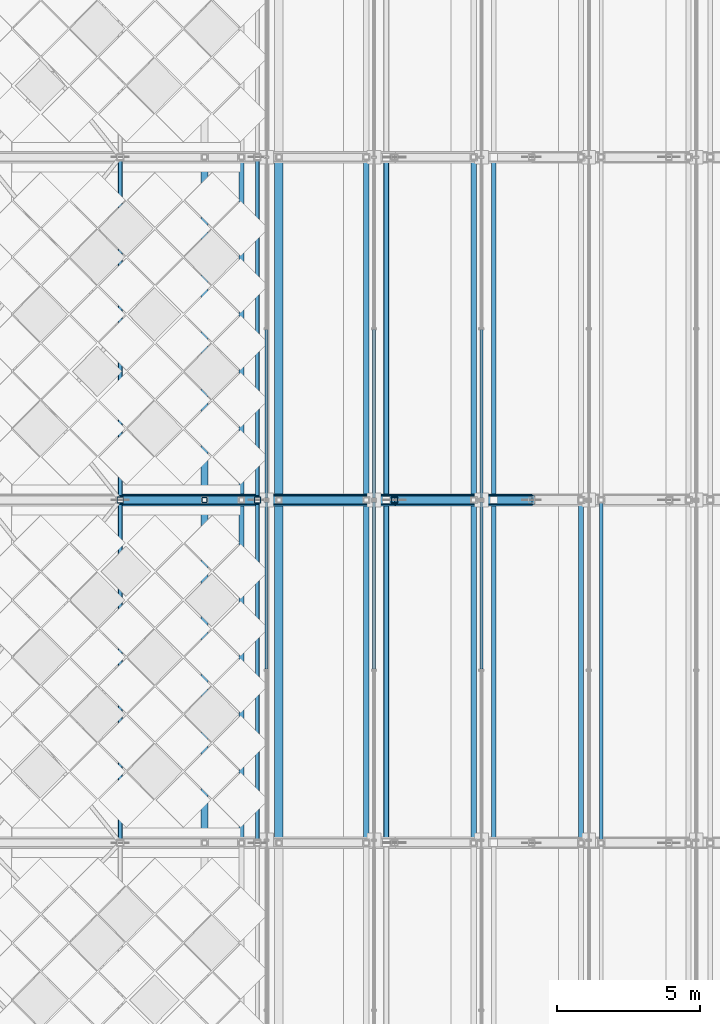
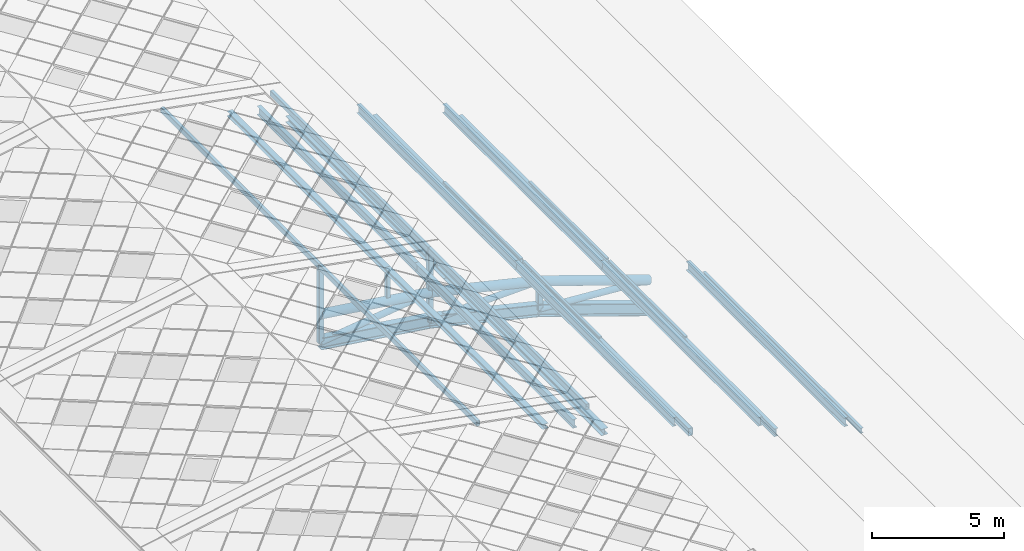
# One storey, part 18 of 117: 45 members, 6 elements without a shape of their own.
"""IFC4 building model written with IfcOpenShell, lengths in metres."""

import ifcopenshell
import ifcopenshell.guid

model = None  # the IFC model being written
_history = None  # IfcOwnerHistory: only IFC2X3 demands one
_inside = {}  # id of a spatial element -> (the spatial element, [elements in it])
_under = {}  # id of a project, library or spatial element -> (it, [spatial elements below it])
_declared = {}  # id of a project -> (the project, [libraries it declares])
_typed = {}  # id of a type object -> (the type object, [elements of that type])
_made_of = {}  # id of a material, layer set ... -> (it, [elements and type objects made of it])


def new_model(schema):
    """Start an empty IFC model of exactly this schema.

    Asked for "IFC4X3", IfcOpenShell would pick the latest addendum, in which some entities
    have other attributes; the version numbers below select the first issue.
    IFC2X3 requires an IfcOwnerHistory on every rooted entity: one is made here for all.
    """
    global model, _history
    if schema == "IFC4X3":
        model = ifcopenshell.file(schema_version=(4, 3, 0, 0))
    else:
        model = ifcopenshell.file(schema=schema)
    _inside.clear()
    _under.clear()
    _declared.clear()
    _typed.clear()
    _made_of.clear()
    _history = None
    if model.schema == "IFC2X3":
        org = make("IfcOrganization", Name="unknown")
        user = make(
            "IfcPersonAndOrganization",
            ThePerson=make("IfcPerson", FamilyName="unknown"),
            TheOrganization=org,
        )
        app = make(
            "IfcApplication",
            ApplicationDeveloper=org,
            Version="unknown",
            ApplicationFullName="unknown",
            ApplicationIdentifier="unknown",
        )
        _history = make(
            "IfcOwnerHistory",
            OwningUser=user,
            OwningApplication=app,
            ChangeAction="ADDED",
            CreationDate=0,
        )
    return model


def make(cls, **values):
    """One entity of the class cls with the attributes given. An attribute that is None is left unset."""
    return model.create_entity(
        cls, **{name: value for name, value in values.items() if value is not None}
    )


def rooted(cls, **values):
    """An entity with a GlobalId (a new one), such as an element, a storey or a relation."""
    return make(cls, GlobalId=ifcopenshell.guid.new(), OwnerHistory=_history, **values)


def si_unit(unit_type, name, prefix=None):
    """IfcSIUnit, for example si_unit("LENGTHUNIT", "METRE", prefix="MILLI")."""
    return make("IfcSIUnit", UnitType=unit_type, Prefix=prefix, Name=name)


def assignment(units):
    """IfcUnitAssignment: the units of a project."""
    return None if units is None else make("IfcUnitAssignment", Units=units)


def point(xyz):
    """IfcCartesianPoint."""
    return None if xyz is None else make("IfcCartesianPoint", Coordinates=xyz)


def direction(xyz):
    """IfcDirection."""
    return None if xyz is None else make("IfcDirection", DirectionRatios=xyz)


def frame(location, z_axis=None, x_axis=None):
    """IfcAxis2Placement3D, a coordinate frame: its origin and axes. An axis left out is left unset."""
    return make(
        "IfcAxis2Placement3D",
        Location=point(location),
        Axis=direction(z_axis),
        RefDirection=direction(x_axis),
    )


def frame_2d(location, x_axis=None):
    """IfcAxis2Placement2D, a coordinate frame in the plane: its origin and x axis."""
    return make(
        "IfcAxis2Placement2D", Location=point(location), RefDirection=direction(x_axis)
    )


def origin():
    """The frame at (0, 0, 0) with its axes left unset."""
    return frame((0.0, 0.0, 0.0))


def origin_2d():
    """The frame at (0, 0) in the plane with its x axis left unset."""
    return frame_2d((0.0, 0.0))


def place(relative_to, where):
    """IfcLocalPlacement: puts the frame where relative to a parent placement (None: the world)."""
    return make(
        "IfcLocalPlacement", PlacementRelTo=relative_to, RelativePlacement=where
    )


def context(
    kind, dimensions, precision=None, world=None, true_north=None, identifier=None
):
    """IfcGeometricRepresentationContext, for example the 3D "Model" context."""
    return make(
        "IfcGeometricRepresentationContext",
        ContextIdentifier=identifier,
        ContextType=kind,
        CoordinateSpaceDimension=dimensions,
        Precision=precision,
        WorldCoordinateSystem=world,
        TrueNorth=true_north,
    )


def subcontext(parent, identifier, kind, view, scale=None):
    """IfcGeometricRepresentationSubContext, for example "Body" below "Model"."""
    return make(
        "IfcGeometricRepresentationSubContext",
        ContextIdentifier=identifier,
        ContextType=kind,
        ParentContext=parent,
        TargetScale=scale,
        TargetView=view,
    )


def project(units=None, contexts=None):
    """IfcProject with its units and contexts."""
    return rooted(
        "IfcProject",
        Name="project",
        RepresentationContexts=contexts,
        UnitsInContext=assignment(units),
    )


def spatial(cls, under=None, at=None, **own):
    """A site, building, storey or space (cls), placed at a placement, below another one or the project."""
    s = rooted(cls, ObjectPlacement=at, **own)
    if under is not None:
        _under.setdefault(under.id(), (under, []))[1].append(s)
    return s


def profile(cls, at=None, kind="AREA", **sizes):
    """A parametric profile (cls). Its sizes go by their IFC names, for example OverallWidth=200.0."""
    return make(cls, ProfileType=kind, Position=at, **sizes)


def hollow_rectangle(**sizes):
    """IfcRectangleHollowProfileDef."""
    return profile("IfcRectangleHollowProfileDef", **sizes)


def hollow_circle(**sizes):
    """IfcCircleHollowProfileDef."""
    return profile("IfcCircleHollowProfileDef", **sizes)


def i_section(**sizes):
    """IfcIShapeProfileDef."""
    return profile("IfcIShapeProfileDef", **sizes)


def extrude(swept, where, along, depth):
    """IfcExtrudedAreaSolid: the profile swept, set in the frame where, extruded along a direction by depth."""
    return make(
        "IfcExtrudedAreaSolid",
        SweptArea=swept,
        Position=where,
        ExtrudedDirection=direction(along),
        Depth=depth,
    )


def shape(context_of_items, identifier, shape_type, items):
    """IfcShapeRepresentation: the items that make up one representation, for example the "Body"."""
    return make(
        "IfcShapeRepresentation",
        ContextOfItems=context_of_items,
        RepresentationIdentifier=identifier,
        RepresentationType=shape_type,
        Items=items,
    )


def material(Name=None, Category=None):
    """IfcMaterial."""
    return make("IfcMaterial", Name=Name, Category=Category)


def material_profile(
    of_material, cross_section, Name=None, Category=None, Priority=None
):
    """IfcMaterialProfile: a cross section and its material."""
    return make(
        "IfcMaterialProfile",
        Name=Name,
        Material=of_material,
        Profile=cross_section,
        Priority=Priority,
        Category=Category,
    )


def profile_set(profiles, Name=None, composite=None):
    """IfcMaterialProfileSet."""
    return make(
        "IfcMaterialProfileSet",
        Name=Name,
        MaterialProfiles=profiles,
        CompositeProfile=composite,
    )


def made_of(thing, what):
    """Note that an element or type object is made of a material, layer set ...; save() writes the relation."""
    if what is not None:
        _made_of.setdefault(what.id(), (what, []))[1].append(thing)
    return thing


def type_object(cls, material=None, **own):
    """A type object (cls), such as IfcWallType, which elements share."""
    return made_of(rooted(cls, **own), material)


def element(
    cls,
    number,
    at=None,
    inside=None,
    cuts=None,
    type_object=None,
    material=None,
    context=None,
    identifier="Body",
    shape_type=None,
    held_by="IfcProductDefinitionShape",
    body=None,
    shapes=None,
    **own,
):
    """One element of the class cls, such as IfcWall. Its Tag is "e" and its number.

    at: its placement. inside: the storey or other place that contains it. cuts: it is an
    opening in that element (IfcRelVoidsElement). A single representation is given by context,
    identifier, shape_type and body (its items); several are given by shapes. held_by: the class
    of the entity that holds the representations. save() writes the other relations.
    """
    e = rooted(cls, Tag="e%d" % number, ObjectPlacement=at, **own)
    if body is not None:
        shapes = [shape(context, identifier, shape_type, body)]
    if shapes is not None:
        e.Representation = make(held_by, Representations=shapes)
    if inside is not None:
        _inside.setdefault(inside.id(), (inside, []))[1].append(e)
    if cuts is not None:
        rooted(
            "IfcRelVoidsElement", RelatingBuildingElement=cuts, RelatedOpeningElement=e
        )
    if type_object is not None:
        _typed.setdefault(type_object.id(), (type_object, []))[1].append(e)
    return made_of(e, material)


def aggregate(whole, parts):
    """IfcRelAggregates: a whole, such as a stair, and the parts it consists of."""
    return rooted("IfcRelAggregates", RelatingObject=whole, RelatedObjects=parts)


def save(model, path):
    """Write the relations noted so far, then the file.

    IfcRelAggregates (storeys below a building ...), IfcRelContainedInSpatialStructure (elements
    in a storey), IfcRelDefinesByType, IfcRelAssociatesMaterial and IfcRelDeclares: one each for
    every whole, place, type object, material and project.
    """
    for whole, parts in _under.values():
        aggregate(whole, parts)
    for where, things in _inside.values():
        rooted(
            "IfcRelContainedInSpatialStructure",
            RelatedElements=things,
            RelatingStructure=where,
        )
    for kind, things in _typed.values():
        rooted("IfcRelDefinesByType", RelatedObjects=things, RelatingType=kind)
    for what, things in _made_of.values():
        rooted("IfcRelAssociatesMaterial", RelatedObjects=things, RelatingMaterial=what)
    for by, libraries in _declared.values():
        rooted("IfcRelDeclares", RelatingContext=by, RelatedDefinitions=libraries)
    model.write(path)


model = new_model("IFC4")

# Units and contexts
model_context = context("Model", 3, precision=1e-05, world=origin(), true_north=direction((0.0, 1.0)))
body_context = subcontext(model_context, "Body", "Model", "MODEL_VIEW")
ifc_project = project(units=[si_unit("LENGTHUNIT", "METRE"), si_unit("AREAUNIT", "SQUARE_METRE"), si_unit("VOLUMEUNIT", "CUBIC_METRE"), si_unit("PLANEANGLEUNIT", "RADIAN"), si_unit("MASSUNIT", "GRAM", prefix="KILO")], contexts=[model_context])

# Site, building, storey
site_placement = place(None, origin())
site = spatial("IfcSite", under=ifc_project, at=site_placement, CompositionType="ELEMENT")
building_placement = place(site_placement, origin())
building = spatial("IfcBuilding", under=site, at=building_placement, Name="Merenkruunu Market Hall", CompositionType="ELEMENT")
storey_placement = place(building_placement, frame((0.0, 0.0, 22.800048828125)))
storey = spatial("IfcBuildingStorey", under=building, at=storey_placement, Name="RF", CompositionType="ELEMENT", Elevation=22.800048828125)

# Members
ifc_material_1 = material(Name="Steel S355ML", Category="steel")
ifc_material_profile_1 = material_profile(ifc_material_1, hollow_circle(Radius=0.203125, WallThickness=0.01611328125, at=origin_2d()), Name="CHS 406.4x16")
ifc_profile_set_1 = profile_set([ifc_material_profile_1], Name="Steel S355ML")
member_type_1 = type_object("IfcMemberType", Name="Arch Truss Chord TC02", PredefinedType="CHORD", material=ifc_profile_set_1)
member_1_placement = place(storey_placement, frame((33.60009765625, 39.60009765625, -1.66796875), z_axis=(0.99033759622, 0.0, -0.138677487406), x_axis=(0.0, 1.0, 0.0)))
element("IfcMember", 1, at=member_1_placement, inside=storey, type_object=member_type_1, Name="TRUSS-AT-3-TOP-08", PredefinedType="CHORD", context=body_context, shape_type="SweptSolid", body=[
    extrude(hollow_circle(Radius=0.203125, WallThickness=0.01611328125, at=origin_2d()), origin(), (0.0, 0.0, 1.0), 4.8466796875),
])
member_2_placement = place(storey_placement, frame((38.39990234375, 39.60009765625, -2.340087890625), z_axis=(0.972941974064, 0.0, -0.231049594471), x_axis=(0.0, 1.0, 0.0)))
element("IfcMember", 2, at=member_2_placement, inside=storey, type_object=member_type_1, Name="TRUSS-AT-3-TOP-09", PredefinedType="CHORD", context=body_context, shape_type="SweptSolid", body=[
    extrude(hollow_circle(Radius=0.203125, WallThickness=0.01611328125, at=origin_2d()), origin(), (0.0, 0.0, 1.0), 4.93359375),
])
member_3_placement = place(storey_placement, frame((43.199951171875, 39.60009765625, -3.47998046875), z_axis=(0.946224865418, 0.0, -0.323509666107), x_axis=(0.0, 1.0, 0.0)))
element("IfcMember", 3, at=member_3_placement, inside=storey, type_object=member_type_1, Name="TRUSS-AT-3-TOP-10", PredefinedType="CHORD", context=body_context, shape_type="SweptSolid", body=[
    extrude(hollow_circle(Radius=0.203125, WallThickness=0.01611328125, at=origin_2d()), origin(), (0.0, 0.0, 1.0), 5.07275390625),
])
ifc_material_profile_2 = material_profile(ifc_material_1, i_section(OverallWidth=0.300048828125, OverallDepth=0.550048828125, WebThickness=0.014892578125, FlangeThickness=0.029052734375, FilletRadius=0.027099609375, at=origin_2d()), Name="HEB 550")
ifc_profile_set_2 = profile_set([ifc_material_profile_2], Name="Steel S355ML")
member_type_2 = type_object("IfcMemberType", Name="Arch Truss Chord TC03", PredefinedType="CHORD", material=ifc_profile_set_2)
member_4_placement = place(storey_placement, frame((33.60009765625, 39.60009765625, -2.968017578125), z_axis=(0.99033759622, 0.0, -0.138677487406), x_axis=(0.0, 1.0, 0.0)))
element("IfcMember", 4, at=member_4_placement, inside=storey, type_object=member_type_2, Name="TRUSS-AT-3-BOT-08", PredefinedType="CHORD", context=body_context, shape_type="SweptSolid", body=[
    extrude(i_section(OverallWidth=0.300048828125, OverallDepth=0.550048828125, WebThickness=0.014892578125, FlangeThickness=0.029052734375, FilletRadius=0.027099609375, at=origin_2d()), origin(), (0.0, 0.0, 1.0), 4.8466796875),
])
member_5_placement = place(storey_placement, frame((38.39990234375, 39.60009765625, -3.64013671875), z_axis=(0.972941974064, 0.0, -0.231049594471), x_axis=(0.0, 1.0, 0.0)))
element("IfcMember", 5, at=member_5_placement, inside=storey, type_object=member_type_2, Name="TRUSS-AT-3-BOT-09", PredefinedType="CHORD", context=body_context, shape_type="SweptSolid", body=[
    extrude(i_section(OverallWidth=0.300048828125, OverallDepth=0.550048828125, WebThickness=0.014892578125, FlangeThickness=0.029052734375, FilletRadius=0.027099609375, at=origin_2d()), origin(), (0.0, 0.0, 1.0), 4.93359375),
])
member_6_placement = place(storey_placement, frame((43.199951171875, 39.60009765625, -4.780029296875), z_axis=(0.946224865418, 0.0, -0.323509666107), x_axis=(0.0, 1.0, 0.0)))
element("IfcMember", 6, at=member_6_placement, inside=storey, type_object=member_type_2, Name="TRUSS-AT-3-BOT-10", PredefinedType="CHORD", context=body_context, shape_type="SweptSolid", body=[
    extrude(i_section(OverallWidth=0.300048828125, OverallDepth=0.550048828125, WebThickness=0.014892578125, FlangeThickness=0.029052734375, FilletRadius=0.027099609375, at=origin_2d()), origin(), (0.0, 0.0, 1.0), 5.07275390625),
])

# Curtain wall, members
ifc_material_2 = material(Name="Powder-coated aluminium", Category="aluminium")
curtain_wall_type = type_object("IfcCurtainWallType", Name="Clerestory Curtain Band CL05", PredefinedType="USERDEFINED", material=ifc_material_2)
curtain_wall_1_placement = place(storey_placement, origin())
curtain_wall_1 = element("IfcCurtainWall", 7, at=curtain_wall_1_placement, inside=storey, type_object=curtain_wall_type, Name="CW-RF-CWM04-098", ObjectType="CLERESTORY_BAND", PredefinedType="USERDEFINED")
ifc_material_profile_3 = material_profile(ifc_material_2, hollow_rectangle(XDim=0.06005859375, YDim=0.110107421875, WallThickness=0.00390625, at=origin_2d()), Name="ALU 60x110x4")
ifc_profile_set_3 = profile_set([ifc_material_profile_3], Name="Powder-coated aluminium")
member_type_3 = type_object("IfcMemberType", Name="Curtain Wall Transom CWT03", PredefinedType="USERDEFINED", material=ifc_profile_set_3)
member_7_placement = place(storey_placement, frame((46.239990234375, 39.530029296875, -3.85205078125), z_axis=(0.0, -1.0, 0.0), x_axis=(0.0, 0.0, 1.0)))
member_7 = element("IfcMember", 8, at=member_7_placement, type_object=member_type_3, Name="CL05 transom 1.1", ObjectType="TRANSOM", PredefinedType="USERDEFINED", context=body_context, shape_type="SweptSolid", body=[
    extrude(hollow_rectangle(XDim=0.06005859375, YDim=0.110107421875, WallThickness=0.00390625, at=origin_2d()), origin(), (0.0, 0.0, 1.0), 5.844970703125),
])
member_8_placement = place(storey_placement, frame((46.239990234375, 39.530029296875, -3.56396484375), z_axis=(0.0, -1.0, 0.0), x_axis=(0.0, 0.0, 1.0)))
member_8 = element("IfcMember", 9, at=member_8_placement, type_object=member_type_3, Name="CL05 transom 1.2", ObjectType="TRANSOM", PredefinedType="USERDEFINED", context=body_context, shape_type="SweptSolid", body=[
    extrude(hollow_rectangle(XDim=0.06005859375, YDim=0.110107421875, WallThickness=0.00390625, at=origin_2d()), origin(), (0.0, 0.0, 1.0), 5.844970703125),
])
aggregate(curtain_wall_1, [member_7, member_8])

curtain_wall_2_placement = place(storey_placement, origin())
curtain_wall_2 = element("IfcCurtainWall", 10, at=curtain_wall_2_placement, inside=storey, type_object=curtain_wall_type, Name="CW-RF-CWM04-100", ObjectType="CLERESTORY_BAND", PredefinedType="USERDEFINED")
member_9_placement = place(storey_placement, frame((46.239990234375, 45.56494140625, -3.85205078125), z_axis=(0.0, -1.0, 0.0), x_axis=(0.0, 0.0, 1.0)))
member_9 = element("IfcMember", 11, at=member_9_placement, type_object=member_type_3, Name="CL05 transom 4.1", ObjectType="TRANSOM", PredefinedType="USERDEFINED", context=body_context, shape_type="SweptSolid", body=[
    extrude(hollow_rectangle(XDim=0.06005859375, YDim=0.110107421875, WallThickness=0.00390625, at=origin_2d()), origin(), (0.0, 0.0, 1.0), 5.89501953125),
])
member_10_placement = place(storey_placement, frame((46.239990234375, 45.56494140625, -3.56396484375), z_axis=(0.0, -1.0, 0.0), x_axis=(0.0, 0.0, 1.0)))
member_10 = element("IfcMember", 12, at=member_10_placement, type_object=member_type_3, Name="CL05 transom 4.2", ObjectType="TRANSOM", PredefinedType="USERDEFINED", context=body_context, shape_type="SweptSolid", body=[
    extrude(hollow_rectangle(XDim=0.06005859375, YDim=0.110107421875, WallThickness=0.00390625, at=origin_2d()), origin(), (0.0, 0.0, 1.0), 5.89501953125),
])
aggregate(curtain_wall_2, [member_9, member_10])

curtain_wall_3_placement = place(storey_placement, origin())
curtain_wall_3 = element("IfcCurtainWall", 13, at=curtain_wall_3_placement, inside=storey, type_object=curtain_wall_type, Name="CW-RF-CWM04-106", ObjectType="CLERESTORY_BAND", PredefinedType="USERDEFINED")
member_11_placement = place(storey_placement, frame((42.47998046875, 39.530029296875, -2.531982421875), z_axis=(0.0, -1.0, 0.0), x_axis=(0.0, 0.0, 1.0)))
member_11 = element("IfcMember", 14, at=member_11_placement, type_object=member_type_3, Name="CL05 transom 1.1", ObjectType="TRANSOM", PredefinedType="USERDEFINED", context=body_context, shape_type="SweptSolid", body=[
    extrude(hollow_rectangle(XDim=0.06005859375, YDim=0.110107421875, WallThickness=0.00390625, at=origin_2d()), origin(), (0.0, 0.0, 1.0), 5.844970703125),
])
member_12_placement = place(storey_placement, frame((42.47998046875, 39.530029296875, -2.26513671875), z_axis=(0.0, -1.0, 0.0), x_axis=(0.0, 0.0, 1.0)))
member_12 = element("IfcMember", 15, at=member_12_placement, type_object=member_type_3, Name="CL05 transom 1.2", ObjectType="TRANSOM", PredefinedType="USERDEFINED", context=body_context, shape_type="SweptSolid", body=[
    extrude(hollow_rectangle(XDim=0.06005859375, YDim=0.110107421875, WallThickness=0.00390625, at=origin_2d()), origin(), (0.0, 0.0, 1.0), 5.844970703125),
])
aggregate(curtain_wall_3, [member_11, member_12])

curtain_wall_4_placement = place(storey_placement, origin())
curtain_wall_4 = element("IfcCurtainWall", 16, at=curtain_wall_4_placement, inside=storey, type_object=curtain_wall_type, Name="CW-RF-CWM04-108", ObjectType="CLERESTORY_BAND", PredefinedType="USERDEFINED")
member_13_placement = place(storey_placement, frame((42.47998046875, 45.56494140625, -2.531982421875), z_axis=(0.0, -1.0, 0.0), x_axis=(0.0, 0.0, 1.0)))
member_13 = element("IfcMember", 17, at=member_13_placement, type_object=member_type_3, Name="CL05 transom 4.1", ObjectType="TRANSOM", PredefinedType="USERDEFINED", context=body_context, shape_type="SweptSolid", body=[
    extrude(hollow_rectangle(XDim=0.06005859375, YDim=0.110107421875, WallThickness=0.00390625, at=origin_2d()), origin(), (0.0, 0.0, 1.0), 5.89501953125),
])
member_14_placement = place(storey_placement, frame((42.47998046875, 45.56494140625, -2.26513671875), z_axis=(0.0, -1.0, 0.0), x_axis=(0.0, 0.0, 1.0)))
member_14 = element("IfcMember", 18, at=member_14_placement, type_object=member_type_3, Name="CL05 transom 4.2", ObjectType="TRANSOM", PredefinedType="USERDEFINED", context=body_context, shape_type="SweptSolid", body=[
    extrude(hollow_rectangle(XDim=0.06005859375, YDim=0.110107421875, WallThickness=0.00390625, at=origin_2d()), origin(), (0.0, 0.0, 1.0), 5.89501953125),
])
aggregate(curtain_wall_4, [member_13, member_14])

curtain_wall_5_placement = place(storey_placement, origin())
curtain_wall_5 = element("IfcCurtainWall", 19, at=curtain_wall_5_placement, inside=storey, type_object=curtain_wall_type, Name="CW-RF-CWM04-114", ObjectType="CLERESTORY_BAND", PredefinedType="USERDEFINED")
member_15_placement = place(storey_placement, frame((38.719970703125, 39.530029296875, -1.212158203125), z_axis=(0.0, -1.0, 0.0), x_axis=(0.0, 0.0, 1.0)))
member_15 = element("IfcMember", 20, at=member_15_placement, type_object=member_type_3, Name="CL05 transom 1.1", ObjectType="TRANSOM", PredefinedType="USERDEFINED", context=body_context, shape_type="SweptSolid", body=[
    extrude(hollow_rectangle(XDim=0.06005859375, YDim=0.110107421875, WallThickness=0.00390625, at=origin_2d()), origin(), (0.0, 0.0, 1.0), 5.844970703125),
])
member_16_placement = place(storey_placement, frame((38.719970703125, 39.530029296875, -0.924072265625), z_axis=(0.0, -1.0, 0.0), x_axis=(0.0, 0.0, 1.0)))
member_16 = element("IfcMember", 21, at=member_16_placement, type_object=member_type_3, Name="CL05 transom 1.2", ObjectType="TRANSOM", PredefinedType="USERDEFINED", context=body_context, shape_type="SweptSolid", body=[
    extrude(hollow_rectangle(XDim=0.06005859375, YDim=0.110107421875, WallThickness=0.00390625, at=origin_2d()), origin(), (0.0, 0.0, 1.0), 5.844970703125),
])
aggregate(curtain_wall_5, [member_15, member_16])

curtain_wall_6_placement = place(storey_placement, origin())
curtain_wall_6 = element("IfcCurtainWall", 22, at=curtain_wall_6_placement, inside=storey, type_object=curtain_wall_type, Name="CW-RF-CWM04-116", ObjectType="CLERESTORY_BAND", PredefinedType="USERDEFINED")
member_17_placement = place(storey_placement, frame((38.719970703125, 45.56494140625, -1.212158203125), z_axis=(0.0, -1.0, 0.0), x_axis=(0.0, 0.0, 1.0)))
member_17 = element("IfcMember", 23, at=member_17_placement, type_object=member_type_3, Name="CL05 transom 4.1", ObjectType="TRANSOM", PredefinedType="USERDEFINED", context=body_context, shape_type="SweptSolid", body=[
    extrude(hollow_rectangle(XDim=0.06005859375, YDim=0.110107421875, WallThickness=0.00390625, at=origin_2d()), origin(), (0.0, 0.0, 1.0), 5.89501953125),
])
member_18_placement = place(storey_placement, frame((38.719970703125, 45.56494140625, -0.924072265625), z_axis=(0.0, -1.0, 0.0), x_axis=(0.0, 0.0, 1.0)))
member_18 = element("IfcMember", 24, at=member_18_placement, type_object=member_type_3, Name="CL05 transom 4.2", ObjectType="TRANSOM", PredefinedType="USERDEFINED", context=body_context, shape_type="SweptSolid", body=[
    extrude(hollow_rectangle(XDim=0.06005859375, YDim=0.110107421875, WallThickness=0.00390625, at=origin_2d()), origin(), (0.0, 0.0, 1.0), 5.89501953125),
])
aggregate(curtain_wall_6, [member_17, member_18])

# Members
ifc_material_profile_4 = material_profile(ifc_material_1, hollow_circle(Radius=0.136474609375, WallThickness=0.012451171875, at=origin_2d()), Name="CHS 273x12.5")
ifc_profile_set_4 = profile_set([ifc_material_profile_4], Name="Steel S355ML")
member_type_4 = type_object("IfcMemberType", Name="Diagonal Sway Brace BR02", PredefinedType="BRACE", material=ifc_profile_set_4)
member_19_placement = place(storey_placement, frame((33.60009765625, 39.60009765625, -2.968017578125), z_axis=(0.99155084109, 0.0, 0.129718655304), x_axis=(0.0, 1.0, 0.0)))
element("IfcMember", 25, at=member_19_placement, inside=storey, type_object=member_type_4, Name="TRUSS-AT-3-DIAG-08", PredefinedType="BRACE", context=body_context, shape_type="SweptSolid", body=[
    extrude(hollow_circle(Radius=0.136474609375, WallThickness=0.012451171875, at=origin_2d()), origin(), (0.0, 0.0, 1.0), 4.8408203125),
])
member_20_placement = place(storey_placement, frame((38.39990234375, 39.60009765625, -3.64013671875), z_axis=(0.999443834494, 0.0, 0.033346989239), x_axis=(0.0, 1.0, 0.0)))
element("IfcMember", 26, at=member_20_placement, inside=storey, type_object=member_type_4, Name="TRUSS-AT-3-DIAG-09", PredefinedType="BRACE", context=body_context, shape_type="SweptSolid", body=[
    extrude(hollow_circle(Radius=0.136474609375, WallThickness=0.012451171875, at=origin_2d()), origin(), (0.0, 0.0, 1.0), 4.802734375),
])
member_21_placement = place(storey_placement, frame((43.199951171875, 39.60009765625, -4.780029296875), z_axis=(0.997485156704, 0.0, -0.070875680989), x_axis=(0.0, 1.0, 0.0)))
element("IfcMember", 27, at=member_21_placement, inside=storey, type_object=member_type_4, Name="TRUSS-AT-3-DIAG-10", PredefinedType="BRACE", context=body_context, shape_type="SweptSolid", body=[
    extrude(hollow_circle(Radius=0.136474609375, WallThickness=0.012451171875, at=origin_2d()), origin(), (0.0, 0.0, 1.0), 4.812255859375),
])
ifc_material_3 = material(Name="Steel S355J2", Category="steel")
ifc_material_profile_5 = material_profile(ifc_material_3, hollow_rectangle(XDim=0.219970703125, YDim=0.219970703125, WallThickness=0.012451171875, InnerFilletRadius=0.012451171875, OuterFilletRadius=0.02490234375, at=origin_2d()), Name="SHS 220x220x12.5")
ifc_profile_set_5 = profile_set([ifc_material_profile_5], Name="Steel S355J2")
member_type_5 = type_object("IfcMemberType", Name="Diagonal Sway Brace BR04", PredefinedType="BRACE", material=ifc_profile_set_5)
member_22_placement = place(storey_placement, frame((33.60009765625, 39.60009765625, -2.968017578125), z_axis=(0.0, 0.0, 1.0), x_axis=(1.0, 0.0, 0.0)))
element("IfcMember", 28, at=member_22_placement, inside=storey, type_object=member_type_5, Name="TRUSS-AT-3-POST-07", PredefinedType="BRACE", context=body_context, shape_type="SweptSolid", body=[
    extrude(hollow_rectangle(XDim=0.219970703125, YDim=0.219970703125, WallThickness=0.012451171875, InnerFilletRadius=0.012451171875, OuterFilletRadius=0.02490234375, at=origin_2d()), origin(), (0.0, 0.0, 1.0), 3.3720703125),
])
member_23_placement = place(storey_placement, frame((38.39990234375, 39.60009765625, -3.64013671875), z_axis=(0.0, 0.0, 1.0), x_axis=(1.0, 0.0, 0.0)))
element("IfcMember", 29, at=member_23_placement, inside=storey, type_object=member_type_5, Name="TRUSS-AT-3-POST-08", PredefinedType="BRACE", context=body_context, shape_type="SweptSolid", body=[
    extrude(hollow_rectangle(XDim=0.219970703125, YDim=0.219970703125, WallThickness=0.012451171875, InnerFilletRadius=0.012451171875, OuterFilletRadius=0.02490234375, at=origin_2d()), origin(), (0.0, 0.0, 1.0), 3.1416015625),
])
member_24_placement = place(storey_placement, frame((43.199951171875, 39.60009765625, -4.780029296875), z_axis=(0.0, 0.0, 1.0), x_axis=(1.0, 0.0, 0.0)))
element("IfcMember", 30, at=member_24_placement, inside=storey, type_object=member_type_5, Name="TRUSS-AT-3-POST-09", PredefinedType="BRACE", context=body_context, shape_type="SweptSolid", body=[
    extrude(hollow_rectangle(XDim=0.219970703125, YDim=0.219970703125, WallThickness=0.012451171875, InnerFilletRadius=0.012451171875, OuterFilletRadius=0.02490234375, at=origin_2d()), origin(), (0.0, 0.0, 1.0), 1.300048828125),
])
ifc_material_profile_6 = material_profile(ifc_material_3, hollow_rectangle(XDim=0.179931640625, YDim=0.179931640625, WallThickness=0.010009765625, InnerFilletRadius=0.010009765625, OuterFilletRadius=0.02001953125, at=origin_2d()), Name="SHS 180x180x10")
ifc_profile_set_6 = profile_set([ifc_material_profile_6], Name="Steel S355J2")
member_type_6 = type_object("IfcMemberType", Name="Diagonal Sway Brace BR05", PredefinedType="BRACE", material=ifc_profile_set_6)
member_25_placement = place(storey_placement, frame((36.550048828125, 39.60009765625, -1.889892578125), z_axis=(0.0, 0.0, 1.0), x_axis=(1.0, 0.0, 0.0)))
element("IfcMember", 31, at=member_25_placement, inside=storey, type_object=member_type_6, Name="TRUSS-AT-3-RISER-E6-2", PredefinedType="BRACE", context=body_context, shape_type="SweptSolid", body=[
    extrude(hollow_rectangle(XDim=0.179931640625, YDim=0.179931640625, WallThickness=0.010009765625, InnerFilletRadius=0.010009765625, OuterFilletRadius=0.02001953125, at=origin_2d()), origin(), (0.0, 0.0, 1.0), 1.12841796875),
])
ifc_material_profile_7 = material_profile(ifc_material_1, i_section(OverallWidth=0.1201171875, OverallDepth=0.239990234375, WebThickness=0.006103515625, FlangeThickness=0.009765625, FilletRadius=0.014892578125, at=origin_2d()), Name="IPE 240")
ifc_profile_set_7 = profile_set([ifc_material_profile_7], Name="Steel S355ML")
member_type_7 = type_object("IfcMemberType", Name="Roof Purlin Rafter PR02", PredefinedType="PURLIN", material=ifc_profile_set_7)
member_26_placement = place(storey_placement, frame((50.429931640625, 27.60009765625, -5.687255859375), z_axis=(0.0, 1.0, 0.0), x_axis=(-1.0, 0.0, 0.0)))
element("IfcMember", 32, at=member_26_placement, inside=storey, type_object=member_type_7, Name="MEM-RF-PURL-E-052", PredefinedType="PURLIN", context=body_context, shape_type="SweptSolid", body=[
    extrude(i_section(OverallWidth=0.1201171875, OverallDepth=0.239990234375, WebThickness=0.006103515625, FlangeThickness=0.009765625, FilletRadius=0.014892578125, at=origin_2d()), origin(), (0.0, 0.0, 1.0), 12.0),
])
ifc_material_profile_8 = material_profile(ifc_material_1, i_section(OverallWidth=0.169921875, OverallDepth=0.360107421875, WebThickness=0.008056640625, FlangeThickness=0.0126953125, FilletRadius=0.01806640625, at=origin_2d()), Name="IPE 360")
ifc_profile_set_8 = profile_set([ifc_material_profile_8], Name="Steel S355ML")
member_type_8 = type_object("IfcMemberType", Name="Roof Purlin Rafter PR03", PredefinedType="PURLIN", material=ifc_profile_set_8)
for number, where, z_axis, x_axis, name in (
    (33, (46.669921875, 27.60009765625, -4.452392578125), (0.0, 1.0, 0.0), (-1.0, 0.0, 0.0), "MEM-RF-PURL-E-084"),
    (34, (46.669921875, 39.60009765625, -4.452392578125), (0.0, 1.0, 0.0), (-1.0, 0.0, 0.0), "MEM-RF-PURL-E-086"),
):
    element("IfcMember", number, at=place(storey_placement, frame(where, z_axis=z_axis, x_axis=x_axis)), inside=storey, type_object=member_type_8, Name=name, PredefinedType="PURLIN", context=body_context, shape_type="SweptSolid", body=[
        extrude(i_section(OverallWidth=0.169921875, OverallDepth=0.360107421875, WebThickness=0.008056640625, FlangeThickness=0.0126953125, FilletRadius=0.01806640625, at=origin_2d()), origin(), (0.0, 0.0, 1.0), 12.0),
    ])
ifc_material_profile_9 = material_profile(ifc_material_1, hollow_rectangle(XDim=0.14990234375, YDim=0.25, WallThickness=0.010009765625, InnerFilletRadius=0.010009765625, OuterFilletRadius=0.02001953125, at=origin_2d()), Name="RHS 250x150x10")
ifc_profile_set_9 = profile_set([ifc_material_profile_9], Name="Steel S355ML")
member_type_9 = type_object("IfcMemberType", Name="Roof Purlin Rafter PR04", PredefinedType="PURLIN", material=ifc_profile_set_9)
for number, where, z_axis, x_axis, name in (
    (35, (38.39990234375, 27.60009765625, -0.35546875), (0.0, 1.0, 0.0), (-1.0, 0.0, 0.0), "MEM-CROWN-EAVE-021"),
    (36, (33.60009765625, 27.60009765625, 0.546875), (0.0, 1.0, 0.0), (-1.0, 0.0, 0.0), "MEM-CROWN-MID-022"),
    (37, (38.39990234375, 39.60009765625, -0.35546875), (0.0, 1.0, 0.0), (-1.0, 0.0, 0.0), "MEM-CROWN-EAVE-034"),
    (38, (33.60009765625, 39.60009765625, 0.546875), (0.0, 1.0, 0.0), (-1.0, 0.0, 0.0), "MEM-CROWN-MID-035"),
):
    element("IfcMember", number, at=place(storey_placement, frame(where, z_axis=z_axis, x_axis=x_axis)), inside=storey, type_object=member_type_9, Name=name, PredefinedType="PURLIN", context=body_context, shape_type="SweptSolid", body=[
        extrude(hollow_rectangle(XDim=0.14990234375, YDim=0.25, WallThickness=0.010009765625, InnerFilletRadius=0.010009765625, OuterFilletRadius=0.02001953125, at=origin_2d()), origin(), (0.0, 0.0, 1.0), 12.0),
    ])
ifc_material_profile_10 = material_profile(ifc_material_1, hollow_rectangle(XDim=0.199951171875, YDim=0.35009765625, WallThickness=0.012451171875, InnerFilletRadius=0.012451171875, OuterFilletRadius=0.02490234375, at=origin_2d()), Name="RHS 350x200x12.5")
ifc_profile_set_10 = profile_set([ifc_material_profile_10], Name="Steel S355ML")
member_type_10 = type_object("IfcMemberType", Name="Roof Purlin Rafter PR06", PredefinedType="PURLIN", material=ifc_profile_set_10)
for number, where, z_axis, x_axis, name in (
    (39, (42.909912109375, 27.60009765625, -3.10986328125), (0.0, 1.0, 0.0), (-1.0, 0.0, 0.0), "MEM-RF-PURL-E-116"),
    (40, (42.909912109375, 39.60009765625, -3.10986328125), (0.0, 1.0, 0.0), (-1.0, 0.0, 0.0), "MEM-RF-PURL-E-118"),
):
    element("IfcMember", number, at=place(storey_placement, frame(where, z_axis=z_axis, x_axis=x_axis)), inside=storey, type_object=member_type_10, Name=name, PredefinedType="PURLIN", context=body_context, shape_type="SweptSolid", body=[
        extrude(hollow_rectangle(XDim=0.199951171875, YDim=0.35009765625, WallThickness=0.012451171875, InnerFilletRadius=0.012451171875, OuterFilletRadius=0.02490234375, at=origin_2d()), origin(), (0.0, 0.0, 1.0), 12.0),
    ])
ifc_material_profile_11 = material_profile(ifc_material_1, i_section(OverallWidth=0.300048828125, OverallDepth=0.2900390625, WebThickness=0.008544921875, FlangeThickness=0.013916015625, FilletRadius=0.027099609375, at=origin_2d()), Name="HEA 300")
ifc_profile_set_11 = profile_set([ifc_material_profile_11], Name="Steel S355ML")
member_type_11 = type_object("IfcMemberType", Name="Roof Purlin Rafter PR07", PredefinedType="PURLIN", material=ifc_profile_set_11)
for number, where, z_axis, x_axis, name in (
    (41, (39.14990234375, 27.60009765625, -1.789306640625), (0.0, 1.0, 0.0), (-1.0, 0.0, 0.0), "MEM-RF-PURL-E-148"),
    (42, (39.14990234375, 39.60009765625, -1.789306640625), (0.0, 1.0, 0.0), (-1.0, 0.0, 0.0), "MEM-RF-PURL-E-150"),
):
    element("IfcMember", number, at=place(storey_placement, frame(where, z_axis=z_axis, x_axis=x_axis)), inside=storey, type_object=member_type_11, Name=name, PredefinedType="PURLIN", context=body_context, shape_type="SweptSolid", body=[
        extrude(i_section(OverallWidth=0.300048828125, OverallDepth=0.2900390625, WebThickness=0.008544921875, FlangeThickness=0.013916015625, FilletRadius=0.027099609375, at=origin_2d()), origin(), (0.0, 0.0, 1.0), 12.0),
    ])
ifc_material_profile_12 = material_profile(ifc_material_1, i_section(OverallWidth=0.239990234375, OverallDepth=0.22998046875, WebThickness=0.007568359375, FlangeThickness=0.011962890625, FilletRadius=0.02099609375, at=origin_2d()), Name="HEA 240")
ifc_profile_set_12 = profile_set([ifc_material_profile_12], Name="Steel S355ML")
member_type_12 = type_object("IfcMemberType", Name="Roof Purlin Rafter PR08", PredefinedType="PURLIN", material=ifc_profile_set_12)
for number, where, z_axis, x_axis, name in (
    (43, (36.550048828125, 27.60009765625, -0.62841796875), (0.0, 1.0, 0.0), (-1.0, 0.0, 0.0), "MEM-RF-PURL-E-180"),
    (44, (36.550048828125, 39.60009765625, -0.62841796875), (0.0, 1.0, 0.0), (-1.0, 0.0, 0.0), "MEM-RF-PURL-E-182"),
):
    element("IfcMember", number, at=place(storey_placement, frame(where, z_axis=z_axis, x_axis=x_axis)), inside=storey, type_object=member_type_12, Name=name, PredefinedType="PURLIN", context=body_context, shape_type="SweptSolid", body=[
        extrude(i_section(OverallWidth=0.239990234375, OverallDepth=0.22998046875, WebThickness=0.007568359375, FlangeThickness=0.011962890625, FilletRadius=0.02099609375, at=origin_2d()), origin(), (0.0, 0.0, 1.0), 12.0),
    ])
ifc_material_profile_13 = material_profile(ifc_material_1, i_section(OverallWidth=0.179931640625, OverallDepth=0.39990234375, WebThickness=0.008544921875, FlangeThickness=0.013427734375, FilletRadius=0.02099609375, at=origin_2d()), Name="IPE 400")
ifc_profile_set_13 = profile_set([ifc_material_profile_13], Name="Steel S355ML")
member_type_13 = type_object("IfcMemberType", Name="Roof Purlin Rafter PR09", PredefinedType="PURLIN", material=ifc_profile_set_13)
for number, where, z_axis, x_axis, name in (
    (45, (49.72998046875, 27.60009765625, -5.040283203125), (0.0, 1.0, 0.0), (-1.0, 0.0, 0.0), "MEM-RF-PURL-E-068"),
    (46, (45.969970703125, 27.60009765625, -3.699951171875), (0.0, 1.0, 0.0), (-1.0, 0.0, 0.0), "MEM-RF-PURL-E-100"),
    (47, (45.969970703125, 39.60009765625, -3.699951171875), (0.0, 1.0, 0.0), (-1.0, 0.0, 0.0), "MEM-RF-PURL-E-102"),
    (48, (42.2099609375, 27.60009765625, -2.400390625), (0.0, 1.0, 0.0), (-1.0, 0.0, 0.0), "MEM-RF-PURL-E-132"),
    (49, (42.2099609375, 39.60009765625, -2.400390625), (0.0, 1.0, 0.0), (-1.0, 0.0, 0.0), "MEM-RF-PURL-E-134"),
    (50, (37.840087890625, 27.60009765625, -0.947021484375), (0.0, 1.0, 0.0), (-1.0, 0.0, 0.0), "MEM-RF-PURL-E-164"),
    (51, (37.840087890625, 39.60009765625, -0.947021484375), (0.0, 1.0, 0.0), (-1.0, 0.0, 0.0), "MEM-RF-PURL-E-166"),
):
    element("IfcMember", number, at=place(storey_placement, frame(where, z_axis=z_axis, x_axis=x_axis)), inside=storey, type_object=member_type_13, Name=name, PredefinedType="PURLIN", context=body_context, shape_type="SweptSolid", body=[
        extrude(i_section(OverallWidth=0.179931640625, OverallDepth=0.39990234375, WebThickness=0.008544921875, FlangeThickness=0.013427734375, FilletRadius=0.02099609375, at=origin_2d()), origin(), (0.0, 0.0, 1.0), 12.0),
    ])

save(model, "model.ifc")
